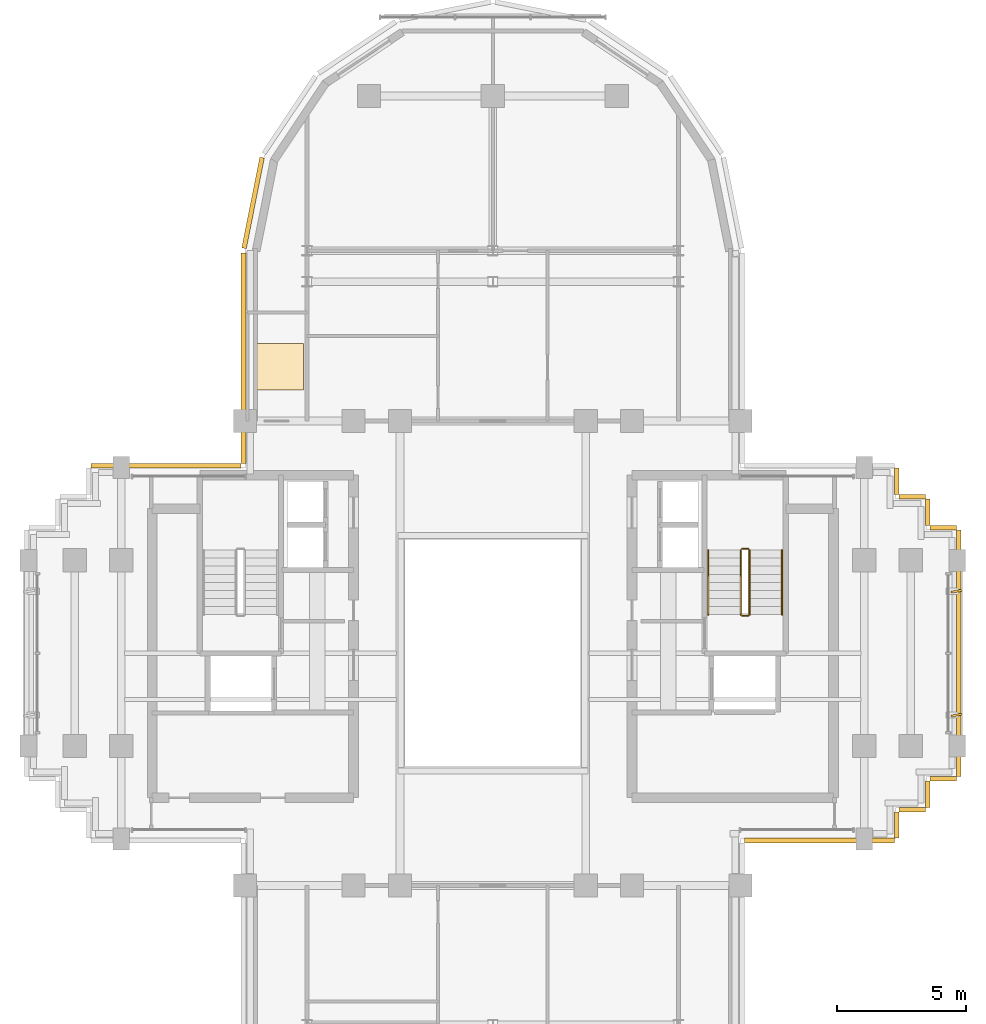
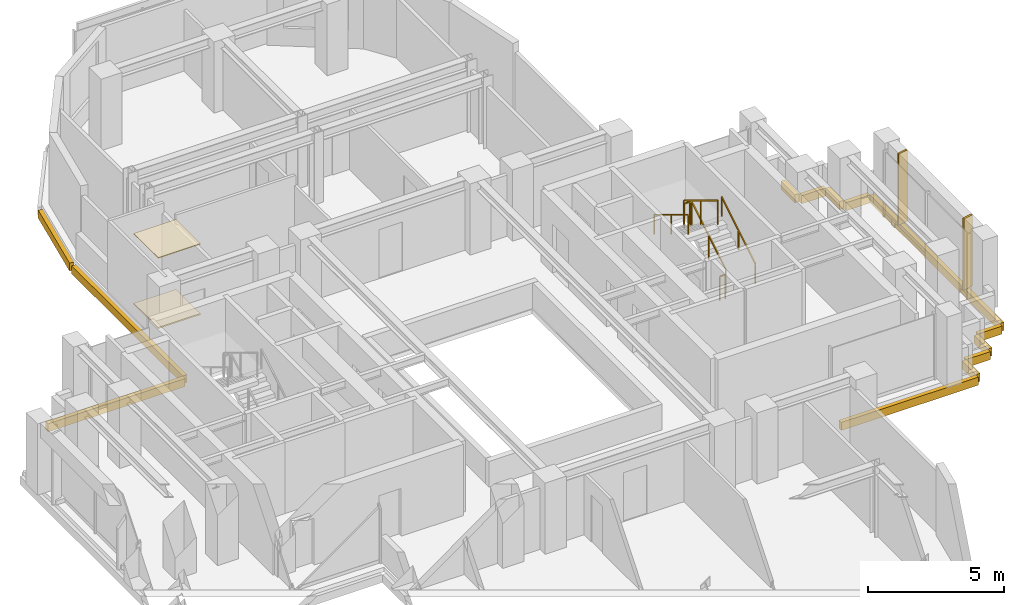
# One storey, part 10 of 11: 15 coverings, 6 railings, 2 shading devices.
"""IFC4 building model written with IfcOpenShell, lengths in metres."""

from ifc_helpers import new_model, si_unit, direction, frame, origin, origin_2d, place, context, subcontext, project, spatial, rectangle, extrude, source, transform, mapped, material, layer, layer_set, type_object, element, save


model = new_model("IFC4")

# Units and contexts
model_context = context("Model", 3, precision=1e-05, world=origin(), true_north=direction((0.0, 1.0)))
body_context = subcontext(model_context, "Body", "Model", "MODEL_VIEW")
ifc_project = project(units=[si_unit("LENGTHUNIT", "METRE"), si_unit("AREAUNIT", "SQUARE_METRE"), si_unit("VOLUMEUNIT", "CUBIC_METRE"), si_unit("PLANEANGLEUNIT", "RADIAN"), si_unit("MASSUNIT", "GRAM", prefix="KILO")], contexts=[model_context])

# Site, building, storey
site_placement = place(None, origin())
site = spatial("IfcSite", under=ifc_project, at=site_placement, CompositionType="ELEMENT")
building_placement = place(site_placement, origin())
building = spatial("IfcBuilding", under=site, at=building_placement, Name="Keilestroom Media Tower", CompositionType="ELEMENT")
storey_placement = place(building_placement, frame((0.0, 0.0, 204.60009765625)))
storey = spatial("IfcBuildingStorey", under=building, at=storey_placement, Name="L56", CompositionType="ELEMENT", Elevation=204.60009765625)

# Railings
ifc_material_1 = material(Name="Brushed Stainless Steel 1.4301", Category="steel")
railing_type_1 = type_object("IfcRailingType", Name="Stair-Pitch-Handrail-920", PredefinedType="HANDRAIL", material=ifc_material_1)
railing_1_placement = place(storey_placement, frame((11.2099609375, 1.5, 0.188720703125)))
element("IfcRailing", 1, at=railing_1_placement, inside=storey, type_object=railing_type_1, Name="L56 ST-2 stair handrail 1", PredefinedType="HANDRAIL", context=body_context, shape_type="SweptSolid", body=[
    extrude(rectangle(XDim=0.048095703125, YDim=0.048095703125, at=origin_2d()), frame((0.0, 0.0, 0.8759765625), z_axis=(0.0, 0.855433747314, 0.517912255074), x_axis=(-1.0, 0.0, 0.0)), (0.0, 0.0, 1.0), 2.91796875),
    extrude(rectangle(XDim=0.0419921875, YDim=0.0419921875, at=origin_2d()), origin(), (0.0, 0.0, 1.0), 0.84375),
    extrude(rectangle(XDim=0.0419921875, YDim=0.0419921875, at=origin_2d()), frame((0.0, 1.248046875, 0.755615234375)), (0.0, 0.0, 1.0), 0.84375),
    extrude(rectangle(XDim=0.0419921875, YDim=0.0419921875, at=origin_2d()), frame((0.0, 2.49609375, 1.51123046875)), (0.0, 0.0, 1.0), 0.84375),
])
railing_2_placement = place(storey_placement, frame((8.35009765625, 3.99609375, 1.888671875)))
element("IfcRailing", 2, at=railing_2_placement, inside=storey, type_object=railing_type_1, Name="L56 ST-2 stair handrail 2", PredefinedType="HANDRAIL", context=body_context, shape_type="SweptSolid", body=[
    extrude(rectangle(XDim=0.048095703125, YDim=0.048095703125, at=origin_2d()), frame((0.0, 0.0, 0.8759765625), z_axis=(0.0, -0.855433747314, 0.517912255074), x_axis=(1.0, 0.0, 0.0)), (0.0, 0.0, 1.0), 2.91796875),
    extrude(rectangle(XDim=0.0419921875, YDim=0.0419921875, at=origin_2d()), origin(), (0.0, 0.0, 1.0), 0.84375),
    extrude(rectangle(XDim=0.0419921875, YDim=0.0419921875, at=origin_2d()), frame((0.0, -1.248046875, 0.755615234375)), (0.0, 0.0, 1.0), 0.84375),
    extrude(rectangle(XDim=0.0419921875, YDim=0.0419921875, at=origin_2d()), frame((0.0, -2.49609375, 1.51123046875)), (0.0, 0.0, 1.0), 0.84375),
])
ifc_material_2 = material(Name="Painted Steel Balustrade", Category="steel")
railing_type_2 = type_object("IfcRailingType", Name="Stair-Well-And-Landing-Guard-1100", PredefinedType="GUARDRAIL", material=ifc_material_2)
railing_3_placement = place(storey_placement, frame((9.949951171875, 1.5, 0.188720703125)))
element("IfcRailing", 3, at=railing_3_placement, inside=storey, type_object=railing_type_2, Name="L56 ST-2 stair guard 1", PredefinedType="GUARDRAIL", context=body_context, shape_type="SweptSolid", body=[
    extrude(rectangle(XDim=0.048095703125, YDim=0.048095703125, at=origin_2d()), frame((0.0, 0.0, 1.076171875), z_axis=(0.0, 0.855433747314, 0.517912255074), x_axis=(-1.0, 0.0, 0.0)), (0.0, 0.0, 1.0), 2.91796875),
    extrude(rectangle(XDim=0.0419921875, YDim=0.0419921875, at=origin_2d()), origin(), (0.0, 0.0, 1.0), 1.0439453125),
    extrude(rectangle(XDim=0.0419921875, YDim=0.0419921875, at=origin_2d()), frame((0.0, 1.248046875, 0.755615234375)), (0.0, 0.0, 1.0), 1.0439453125),
    extrude(rectangle(XDim=0.0419921875, YDim=0.0419921875, at=origin_2d()), frame((0.0, 2.49609375, 1.51123046875)), (0.0, 0.0, 1.0), 1.0439453125),
])
railing_4_placement = place(storey_placement, frame((9.89990234375, 4.0458984375, 1.699951171875)))
element("IfcRailing", 4, at=railing_4_placement, inside=storey, type_object=railing_type_2, Name="L56 ST-2 stair guard 2", PredefinedType="GUARDRAIL", context=body_context, shape_type="SweptSolid", body=[
    extrude(rectangle(XDim=0.048095703125, YDim=0.048095703125, at=origin_2d()), frame((0.0, 0.0, 1.076171875), z_axis=(-1.0, 0.0, 0.0), x_axis=(0.0, -1.0, 0.0)), (0.0, 0.0, 1.0), 0.239990234375),
    extrude(rectangle(XDim=0.0419921875, YDim=0.0419921875, at=origin_2d()), origin(), (0.0, 0.0, 1.0), 1.0439453125),
    extrude(rectangle(XDim=0.0419921875, YDim=0.0419921875, at=origin_2d()), frame((-0.239990234375, 0.0, 0.0)), (0.0, 0.0, 1.0), 1.0439453125),
])
railing_5_placement = place(storey_placement, frame((9.610107421875, 3.99609375, 1.888671875)))
element("IfcRailing", 5, at=railing_5_placement, inside=storey, type_object=railing_type_2, Name="L56 ST-2 stair guard 3", PredefinedType="GUARDRAIL", context=body_context, shape_type="SweptSolid", body=[
    extrude(rectangle(XDim=0.048095703125, YDim=0.048095703125, at=origin_2d()), frame((0.0, 0.0, 1.076171875), z_axis=(0.0, -0.855433747314, 0.517912255074), x_axis=(1.0, 0.0, 0.0)), (0.0, 0.0, 1.0), 2.91796875),
    extrude(rectangle(XDim=0.0419921875, YDim=0.0419921875, at=origin_2d()), origin(), (0.0, 0.0, 1.0), 1.0439453125),
    extrude(rectangle(XDim=0.0419921875, YDim=0.0419921875, at=origin_2d()), frame((0.0, -1.248046875, 0.755615234375)), (0.0, 0.0, 1.0), 1.0439453125),
    extrude(rectangle(XDim=0.0419921875, YDim=0.0419921875, at=origin_2d()), frame((0.0, -2.49609375, 1.51123046875)), (0.0, 0.0, 1.0), 1.0439453125),
])
railing_6_placement = place(storey_placement, frame((9.89990234375, 1.449951171875, 0.0)))
element("IfcRailing", 6, at=railing_6_placement, inside=storey, type_object=railing_type_2, Name="L56 ST-2 stair guard 4", PredefinedType="GUARDRAIL", context=body_context, shape_type="SweptSolid", body=[
    extrude(rectangle(XDim=0.048095703125, YDim=0.048095703125, at=origin_2d()), frame((0.0, 0.0, 1.076171875), z_axis=(-1.0, 0.0, 0.0), x_axis=(0.0, -1.0, 0.0)), (0.0, 0.0, 1.0), 0.239990234375),
    extrude(rectangle(XDim=0.0419921875, YDim=0.0419921875, at=origin_2d()), origin(), (0.0, 0.0, 1.0), 1.0439453125),
    extrude(rectangle(XDim=0.0419921875, YDim=0.0419921875, at=origin_2d()), frame((-0.239990234375, 0.0, 0.0)), (0.0, 0.0, 1.0), 1.0439453125),
])

# Shading devices
ifc_material_3 = material(Name="Bronze Anodised Aluminium", Category="aluminium")
shading_device_type = type_object("IfcShadingDeviceType", Name="Facade-Vertical-Sunshade-Fin-SHD-1", PredefinedType="USERDEFINED", material=ifc_material_3)
shared_shape_1 = source(origin(), body_context, "Body", "SweptSolid", [
    extrude(rectangle(XDim=0.419921875, YDim=0.080078125, at=origin_2d()), origin(), (0.0, 0.0, 1.0), 3.199951171875),
])
for number, where, z_axis, x_axis, name in (
    (7, (17.969970703125, -2.39990234375, 0.0), (0.0, 0.0, 1.0), (0.984133733774, 0.177428278601, 0.0), "L56 Twisting Sunshade Fin SHD-1 083"),
    (8, (17.969970703125, 2.39990234375, 0.0), (0.0, 0.0, 1.0), (0.984133733774, 0.177428278601, 0.0), "L56 Twisting Sunshade Fin SHD-1 084"),
):
    element("IfcShadingDevice", number, at=place(storey_placement, frame(where, z_axis=z_axis, x_axis=x_axis)), inside=storey, type_object=shading_device_type, Name=name, ObjectType="SUNSHADE", PredefinedType="USERDEFINED", context=body_context, shape_type="MappedRepresentation", body=[
        mapped(shared_shape_1, transform((0.0, 0.0, 0.0), x_axis=(1.0, 0.0, 0.0), y_axis=(0.0, 1.0, 0.0), z_axis=(0.0, 0.0, 1.0), scale=1.0)),
    ])

# Coverings
ifc_material_4 = material(Name="Precast concrete C40/50", Category="concrete")
ifc_layer_1 = layer(ifc_material_4, 0.1201171875)
ifc_layer_set_1 = layer_set([ifc_layer_1], Name="Precast concrete C40/50")
covering_type_1 = type_object("IfcCoveringType", Name="Exterior-Precast-Spandrel-Cladding-Panel-120", PredefinedType="CLADDING", material=ifc_layer_set_1)
shared_shape_2 = source(origin(), body_context, "Body", "SweptSolid", [
    extrude(rectangle(XDim=1.02001953125, YDim=0.179931640625, at=origin_2d()), origin(), (0.0, 0.0, 1.0), 0.360107421875),
])
for number, where, z_axis, x_axis, name in (
    (9, (17.4599609375, -4.860107421875, -0.5400390625), (0.0, 0.0, 1.0), (-1.0, 0.0, 0.0), "L56 Precast Slab-Edge Fascia Cornice 01"),
    (10, (16.860107421875, -5.4599609375, -0.5400390625), (0.0, 0.0, 1.0), (0.0, -1.0, 0.0), "L56 Precast Slab-Edge Fascia Cornice 02"),
    (11, (16.260009765625, -6.06005859375, -0.5400390625), (0.0, 0.0, 1.0), (-1.0, 0.0, 0.0), "L56 Precast Slab-Edge Fascia Cornice 03"),
    (12, (15.659912109375, -6.659912109375, -0.5400390625), (0.0, 0.0, 1.0), (0.0, -1.0, 0.0), "L56 Precast Slab-Edge Fascia Cornice 04"),
    (13, (15.659912109375, 6.659912109375, -0.5400390625), (0.0, 0.0, 1.0), (0.0, -1.0, 0.0), "L56 Precast Slab-Edge Fascia Cornice 38"),
    (14, (16.260009765625, 6.06005859375, -0.5400390625), (0.0, 0.0, 1.0), (1.0, 0.0, 0.0), "L56 Precast Slab-Edge Fascia Cornice 39"),
    (15, (16.860107421875, 5.4599609375, -0.5400390625), (0.0, 0.0, 1.0), (0.0, -1.0, 0.0), "L56 Precast Slab-Edge Fascia Cornice 40"),
    (16, (17.4599609375, 4.860107421875, -0.5400390625), (0.0, 0.0, 1.0), (1.0, 0.0, 0.0), "L56 Precast Slab-Edge Fascia Cornice 41"),
):
    element("IfcCovering", number, at=place(storey_placement, frame(where, z_axis=z_axis, x_axis=x_axis)), inside=storey, type_object=covering_type_1, Name=name, PredefinedType="CLADDING", context=body_context, shape_type="MappedRepresentation", body=[
        mapped(shared_shape_2, transform((0.0, 0.0, 0.0), x_axis=(1.0, 0.0, 0.0), y_axis=(0.0, 1.0, 0.0), z_axis=(0.0, 0.0, 1.0), scale=1.0)),
    ])
shared_shape_3 = source(origin(), body_context, "Body", "SweptSolid", [
    extrude(rectangle(XDim=8.166015625, YDim=0.179931640625, at=origin_2d()), origin(), (0.0, 0.0, 1.0), 0.360107421875),
])
covering_1_placement = place(storey_placement, frame((-9.659912109375, 11.43310546875, -0.5400390625), z_axis=(0.0, 0.0, 1.0), x_axis=(0.0, 1.0, 0.0)))
element("IfcCovering", 17, at=covering_1_placement, inside=storey, type_object=covering_type_1, Name="L56 Precast Slab-Edge Fascia Cornice 27", PredefinedType="CLADDING", context=body_context, shape_type="MappedRepresentation", body=[
    mapped(shared_shape_3, transform((0.0, 0.0, 0.0), x_axis=(1.0, 0.0, 0.0), y_axis=(0.0, 1.0, 0.0), z_axis=(0.0, 0.0, 1.0), scale=1.0)),
])
shared_shape_4 = source(origin(), body_context, "Body", "SweptSolid", [
    extrude(rectangle(XDim=3.58349609375, YDim=0.179931640625, at=origin_2d()), origin(), (0.0, 0.0, 1.0), 0.360107421875),
])
covering_2_placement = place(storey_placement, frame((-9.29296875, 17.45166015625, -0.5400390625), z_axis=(0.0, 0.0, 1.0), x_axis=(0.195098880975, 0.980783577882, 0.0)))
element("IfcCovering", 18, at=covering_2_placement, inside=storey, type_object=covering_type_1, Name="L56 Precast Slab-Edge Fascia Cornice 28", PredefinedType="CLADDING", context=body_context, shape_type="MappedRepresentation", body=[
    mapped(shared_shape_4, transform((0.0, 0.0, 0.0), x_axis=(1.0, 0.0, 0.0), y_axis=(0.0, 1.0, 0.0), z_axis=(0.0, 0.0, 1.0), scale=1.0)),
])
shared_shape_5 = source(origin(), body_context, "Body", "SweptSolid", [
    extrude(rectangle(XDim=9.5400390625, YDim=0.179931640625, at=origin_2d()), origin(), (0.0, 0.0, 1.0), 0.360107421875),
])
covering_3_placement = place(storey_placement, frame((18.06005859375, 0.0, -0.5400390625), z_axis=(0.0, 0.0, 1.0), x_axis=(0.0, -1.0, 0.0)))
element("IfcCovering", 19, at=covering_3_placement, inside=storey, type_object=covering_type_1, Name="L56 Precast Slab-Edge Fascia Cornice 42", PredefinedType="CLADDING", context=body_context, shape_type="MappedRepresentation", body=[
    mapped(shared_shape_5, transform((0.0, 0.0, 0.0), x_axis=(1.0, 0.0, 0.0), y_axis=(0.0, 1.0, 0.0), z_axis=(0.0, 0.0, 1.0), scale=1.0)),
])
shared_shape_6 = source(origin(), body_context, "Body", "SweptSolid", [
    extrude(rectangle(XDim=5.820068359375, YDim=0.179931640625, at=origin_2d()), origin(), (0.0, 0.0, 1.0), 0.360107421875),
])
for number, where, z_axis, x_axis, name in (
    (20, (12.659912109375, -7.260009765625, -0.5400390625), (0.0, 0.0, 1.0), (-1.0, 0.0, 0.0), "L56 Precast Slab-Edge Fascia Cornice 05"),
    (21, (-12.659912109375, 7.260009765625, -0.5400390625), (0.0, 0.0, 1.0), (1.0, 0.0, 0.0), "L56 Precast Slab-Edge Fascia Cornice 26"),
):
    element("IfcCovering", number, at=place(storey_placement, frame(where, z_axis=z_axis, x_axis=x_axis)), inside=storey, type_object=covering_type_1, Name=name, PredefinedType="CLADDING", context=body_context, shape_type="MappedRepresentation", body=[
        mapped(shared_shape_6, transform((0.0, 0.0, 0.0), x_axis=(1.0, 0.0, 0.0), y_axis=(0.0, 1.0, 0.0), z_axis=(0.0, 0.0, 1.0), scale=1.0)),
    ])
ifc_material_5 = material(Name="Mineral-Fibre Acoustic Ceiling Tile", Category="gypsum")
ifc_layer_2 = layer(ifc_material_5, 0.0400390625)
ifc_layer_set_2 = layer_set([ifc_layer_2], Name="Mineral-Fibre Acoustic Ceiling Tile")
covering_type_2 = type_object("IfcCoveringType", Name="Suspended-Acoustic-Ceiling-40", PredefinedType="CEILING", material=ifc_layer_set_2)
shared_shape_7 = source(origin(), body_context, "Body", "SweptSolid", [
    extrude(rectangle(XDim=1.800048828125, YDim=1.800048828125, at=origin_2d()), origin(), (0.0, 0.0, 1.0), 0.0400390625),
])
covering_4_placement = place(storey_placement, frame((-8.2451171875, 11.10009765625, 3.159912109375), z_axis=(0.0, 0.0, 1.0), x_axis=(1.0, 0.0, 0.0)))
element("IfcCovering", 22, at=covering_4_placement, inside=storey, type_object=covering_type_2, Name="L56 Suspended Acoustic Ceiling 1", PredefinedType="CEILING", context=body_context, shape_type="MappedRepresentation", body=[
    mapped(shared_shape_7, transform((0.0, 0.0, 0.0), x_axis=(1.0, 0.0, 0.0), y_axis=(0.0, 1.0, 0.0), z_axis=(0.0, 0.0, 1.0), scale=1.0)),
])
ifc_material_6 = material(Name="Calcium-Sulphate Raised Access Floor", Category="concrete")
ifc_layer_3 = layer(ifc_material_6, 0.06005859375)
ifc_layer_set_3 = layer_set([ifc_layer_3], Name="Calcium-Sulphate Raised Access Floor")
covering_type_3 = type_object("IfcCoveringType", Name="Raised-Access-And-Acoustic-Flooring-60", PredefinedType="FLOORING", material=ifc_layer_set_3)
shared_shape_8 = source(origin(), body_context, "Body", "SweptSolid", [
    extrude(rectangle(XDim=1.800048828125, YDim=1.800048828125, at=origin_2d()), origin(), (0.0, 0.0, 1.0), 0.06005859375),
])
covering_5_placement = place(storey_placement, frame((-8.2451171875, 11.10009765625, -0.000244140625), z_axis=(0.0, 0.0, 1.0), x_axis=(1.0, 0.0, 0.0)))
element("IfcCovering", 23, at=covering_5_placement, inside=storey, type_object=covering_type_3, Name="L56 Raised Access Flooring 1", PredefinedType="FLOORING", context=body_context, shape_type="MappedRepresentation", body=[
    mapped(shared_shape_8, transform((0.0, 0.0, 0.0), x_axis=(1.0, 0.0, 0.0), y_axis=(0.0, 1.0, 0.0), z_axis=(0.0, 0.0, 1.0), scale=1.0)),
])

save(model, "model.ifc")
